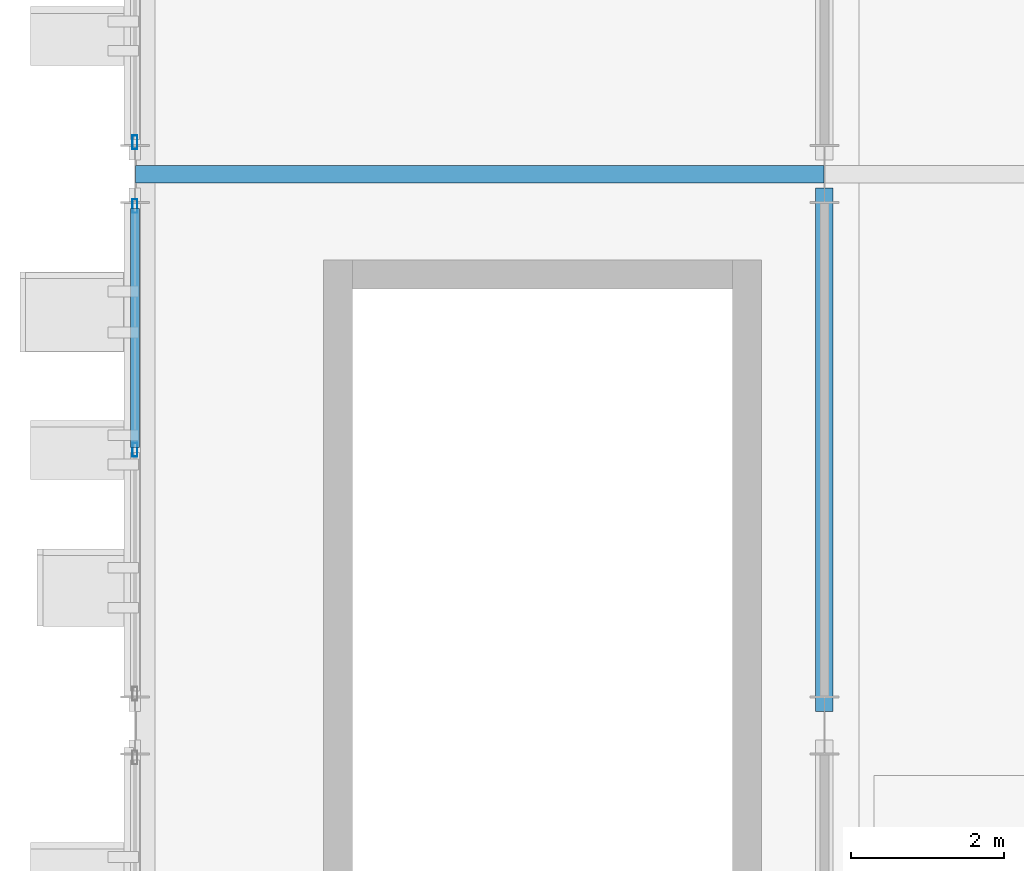
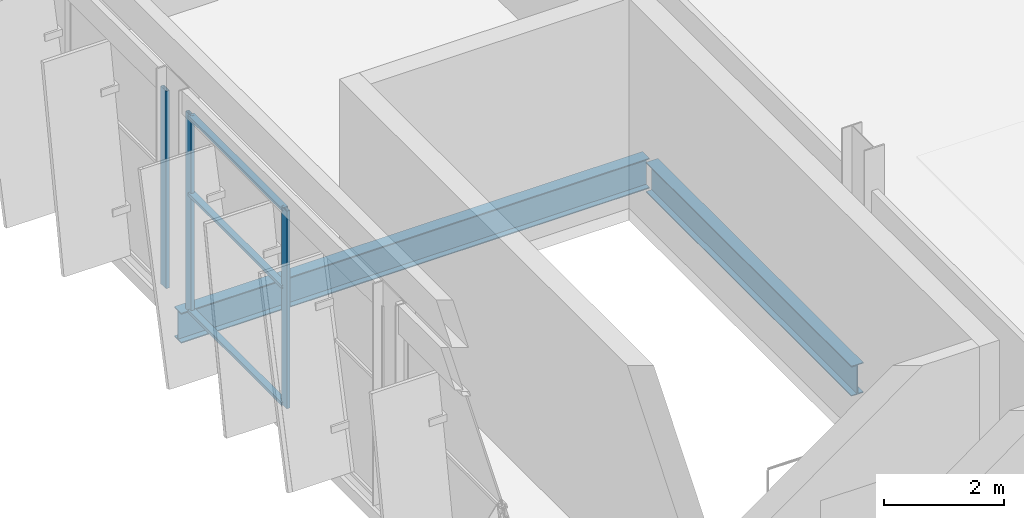
# One storey, part 7 of 52: 6 members, 2 beams, 2 elements without a shape of their own.
"""IFC4 building model written with IfcOpenShell, lengths in metres."""

from ifc_helpers import new_model, si_unit, direction, frame, origin, origin_2d, place, context, subcontext, project, spatial, hollow_rectangle, i_section, extrude, material, layer, layer_set, material_profile, profile_set, type_object, element, aggregate, save


model = new_model("IFC4")

# Units and contexts
model_context = context("Model", 3, precision=1e-05, world=origin(), true_north=direction((0.0, 1.0)))
body_context = subcontext(model_context, "Body", "Model", "MODEL_VIEW")
ifc_project = project(units=[si_unit("LENGTHUNIT", "METRE"), si_unit("AREAUNIT", "SQUARE_METRE"), si_unit("VOLUMEUNIT", "CUBIC_METRE"), si_unit("PLANEANGLEUNIT", "RADIAN"), si_unit("MASSUNIT", "GRAM", prefix="KILO")], contexts=[model_context])

# Site, building, storey
site_placement = place(None, origin())
site = spatial("IfcSite", under=ifc_project, at=site_placement, CompositionType="ELEMENT")
building_placement = place(site_placement, origin())
building = spatial("IfcBuilding", under=site, at=building_placement, Name="Celestram Park Convention Centre", CompositionType="ELEMENT")
storey_placement = place(building_placement, frame((0.0, 0.0, 24.300048828125)))
storey = spatial("IfcBuildingStorey", under=building, at=storey_placement, Name="L05", CompositionType="ELEMENT", Elevation=24.300048828125)

# Curtain wall, members
ifc_material_1 = material(Name="Anodised Aluminium Alloy 6063-T6", Category="aluminium")
ifc_layer = layer(ifc_material_1, 0.179931640625)
ifc_layer_set = layer_set([ifc_layer], Name="Anodised Aluminium Alloy 6063-T6")
curtain_wall_type = type_object("IfcCurtainWallType", Name="ARC-CW-643X401", PredefinedType="NOTDEFINED", material=ifc_layer_set)
curtain_wall_1_placement = place(storey_placement, origin())
curtain_wall_1 = element("IfcCurtainWall", 1, at=curtain_wall_1_placement, inside=storey, type_object=curtain_wall_type, Name="Unitised curtain wall CU-L05-244", PredefinedType="NOTDEFINED")
ifc_material_profile_1 = material_profile(ifc_material_1, hollow_rectangle(XDim=0.06494140625, YDim=0.179931640625, WallThickness=0.00390625, at=origin_2d()), Name="ALU65X180X4")
ifc_profile_set_1 = profile_set([ifc_material_profile_1], Name="Anodised Aluminium Alloy 6063-T6")
member_type_1 = type_object("IfcMemberType", Name="ARC-CWM-150", PredefinedType="MULLION", material=ifc_profile_set_1)
member_1_placement = place(storey_placement, frame((36.0, 118.800048828125, 0.0), z_axis=(0.0, 0.0, 1.0), x_axis=(-1.0, 0.0, 0.0)))
member_1 = element("IfcMember", 2, at=member_1_placement, type_object=member_type_1, Name="CW-64X40 mullion 2", PredefinedType="MULLION", context=body_context, shape_type="SweptSolid", body=[
    extrude(hollow_rectangle(XDim=0.06494140625, YDim=0.179931640625, WallThickness=0.00390625, at=origin_2d()), origin(), (0.0, 0.0, 1.0), 4.010009765625),
])
member_2_placement = place(storey_placement, frame((36.0, 121.9833984375, 0.0), z_axis=(0.0, 0.0, 1.0), x_axis=(-1.0, 0.0, 0.0)))
member_2 = element("IfcMember", 3, at=member_2_placement, type_object=member_type_1, Name="CW-64X40 mullion 3", PredefinedType="MULLION", context=body_context, shape_type="SweptSolid", body=[
    extrude(hollow_rectangle(XDim=0.06494140625, YDim=0.179931640625, WallThickness=0.00390625, at=origin_2d()), origin(), (0.0, 0.0, 1.0), 4.010009765625),
])

# Curtain wall, member
curtain_wall_2_placement = place(storey_placement, origin())
curtain_wall_2 = element("IfcCurtainWall", 4, at=curtain_wall_2_placement, inside=storey, type_object=curtain_wall_type, Name="Unitised curtain wall CU-L05-245", PredefinedType="NOTDEFINED")
member_3_placement = place(storey_placement, frame((36.0, 122.81640625, 0.0), z_axis=(0.0, 0.0, 1.0), x_axis=(-1.0, 0.0, 0.0)))
member_3 = element("IfcMember", 5, at=member_3_placement, type_object=member_type_1, Name="CW-64X40 mullion 1", PredefinedType="MULLION", context=body_context, shape_type="SweptSolid", body=[
    extrude(hollow_rectangle(XDim=0.06494140625, YDim=0.179931640625, WallThickness=0.00390625, at=origin_2d()), origin(), (0.0, 0.0, 1.0), 4.010009765625),
])
aggregate(curtain_wall_2, [member_3])

# Member
ifc_material_profile_2 = material_profile(ifc_material_1, hollow_rectangle(XDim=0.1201171875, YDim=0.06005859375, WallThickness=0.0029296875, at=origin_2d()), Name="ALU120X60X3")
ifc_profile_set_2 = profile_set([ifc_material_profile_2], Name="Anodised Aluminium Alloy 6063-T6")
member_type_2 = type_object("IfcMemberType", Name="ARC-CWT-120", PredefinedType="USERDEFINED", material=ifc_profile_set_2)
member_4_placement = place(storey_placement, frame((36.0, 118.83251953125, 0.030029296875), z_axis=(0.0, 1.0, 0.0), x_axis=(-1.0, 0.0, 0.0)))
member_4 = element("IfcMember", 6, at=member_4_placement, type_object=member_type_2, Name="CW-64X40 transom 2.1", ObjectType="TRANSOM", PredefinedType="USERDEFINED", context=body_context, shape_type="SweptSolid", body=[
    extrude(hollow_rectangle(XDim=0.1201171875, YDim=0.06005859375, WallThickness=0.0029296875, at=origin_2d()), origin(), (0.0, 0.0, 1.0), 3.118408203125),
])

member_5_placement = place(storey_placement, frame((36.0, 118.83251953125, 2.406005859375), z_axis=(0.0, 1.0, 0.0), x_axis=(-1.0, 0.0, 0.0)))
member_5 = element("IfcMember", 7, at=member_5_placement, type_object=member_type_2, Name="CW-64X40 transom 2.2", ObjectType="TRANSOM", PredefinedType="USERDEFINED", context=body_context, shape_type="SweptSolid", body=[
    extrude(hollow_rectangle(XDim=0.1201171875, YDim=0.06005859375, WallThickness=0.0029296875, at=origin_2d()), origin(), (0.0, 0.0, 1.0), 3.118408203125),
])

member_6_placement = place(storey_placement, frame((36.0, 118.83251953125, 3.97998046875), z_axis=(0.0, 1.0, 0.0), x_axis=(-1.0, 0.0, 0.0)))
member_6 = element("IfcMember", 8, at=member_6_placement, type_object=member_type_2, Name="CW-64X40 transom 2.3", ObjectType="TRANSOM", PredefinedType="USERDEFINED", context=body_context, shape_type="SweptSolid", body=[
    extrude(hollow_rectangle(XDim=0.1201171875, YDim=0.06005859375, WallThickness=0.0029296875, at=origin_2d()), origin(), (0.0, 0.0, 1.0), 3.118408203125),
])

aggregate(curtain_wall_1, [member_1, member_2, member_4, member_5, member_6])

# Beams
ifc_material_2 = material(Name="Steel ASTM A992 Grade 50", Category="steel")
ifc_material_profile_3 = material_profile(ifc_material_2, i_section(OverallWidth=0.22900390625, OverallDepth=0.612060546875, WebThickness=0.011962890625, FlangeThickness=0.01953125, at=origin_2d()), Name="W24X84")
ifc_profile_set_3 = profile_set([ifc_material_profile_3], Name="Steel ASTM A992 Grade 50")
beam_type = type_object("IfcBeamType", Name="STR-BM-W24X84", PredefinedType="BEAM", material=ifc_profile_set_3)
beam_1_placement = place(storey_placement, frame((36.006103515625, 122.39990234375, -0.546142578125), z_axis=(1.0, 0.0, 0.0), x_axis=(0.0, 1.0, 0.0)))
element("IfcBeam", 9, at=beam_1_placement, inside=storey, type_object=beam_type, Name="Primary X-girder BG-L05-0004", PredefinedType="BEAM", context=body_context, shape_type="SweptSolid", body=[
    extrude(i_section(OverallWidth=0.22900390625, OverallDepth=0.612060546875, WebThickness=0.011962890625, FlangeThickness=0.01953125, at=origin_2d()), origin(), (0.0, 0.0, 1.0), 8.98779296875),
])
beam_2_placement = place(storey_placement, frame((45.0, 115.384521484375, -0.546142578125), z_axis=(0.0, 1.0, 0.0), x_axis=(-1.0, 0.0, 0.0)))
element("IfcBeam", 10, at=beam_2_placement, inside=storey, type_object=beam_type, Name="Primary Y-girder BG-L05-0017", PredefinedType="BEAM", context=body_context, shape_type="SweptSolid", body=[
    extrude(i_section(OverallWidth=0.22900390625, OverallDepth=0.612060546875, WebThickness=0.011962890625, FlangeThickness=0.01953125, at=origin_2d()), origin(), (0.0, 0.0, 1.0), 6.8310546875),
])

save(model, "model.ifc")
